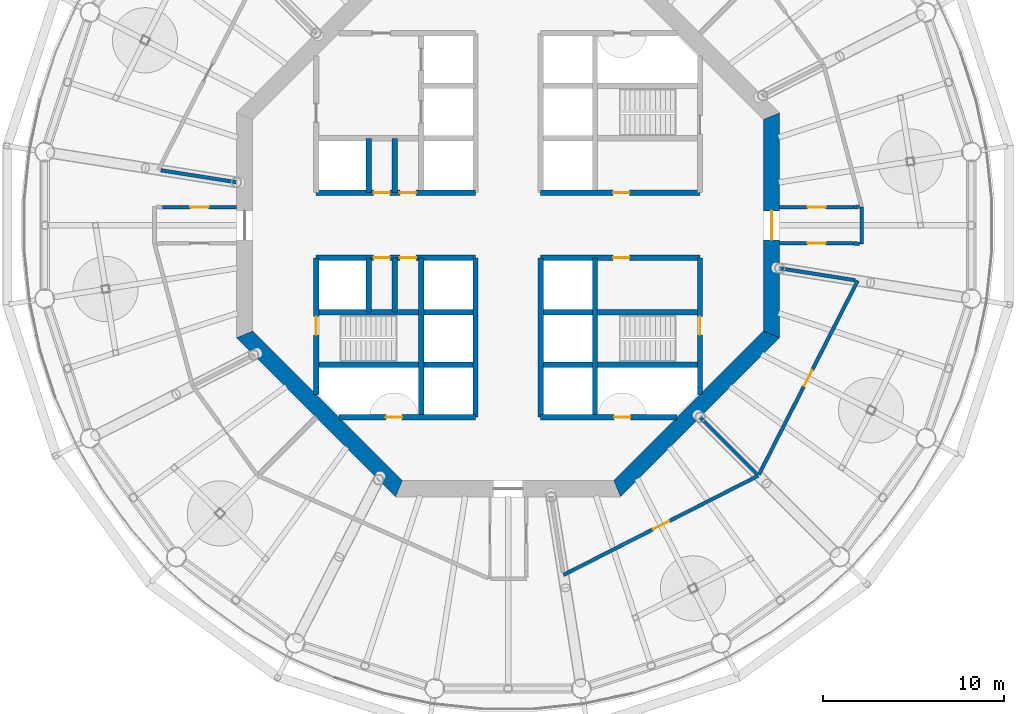
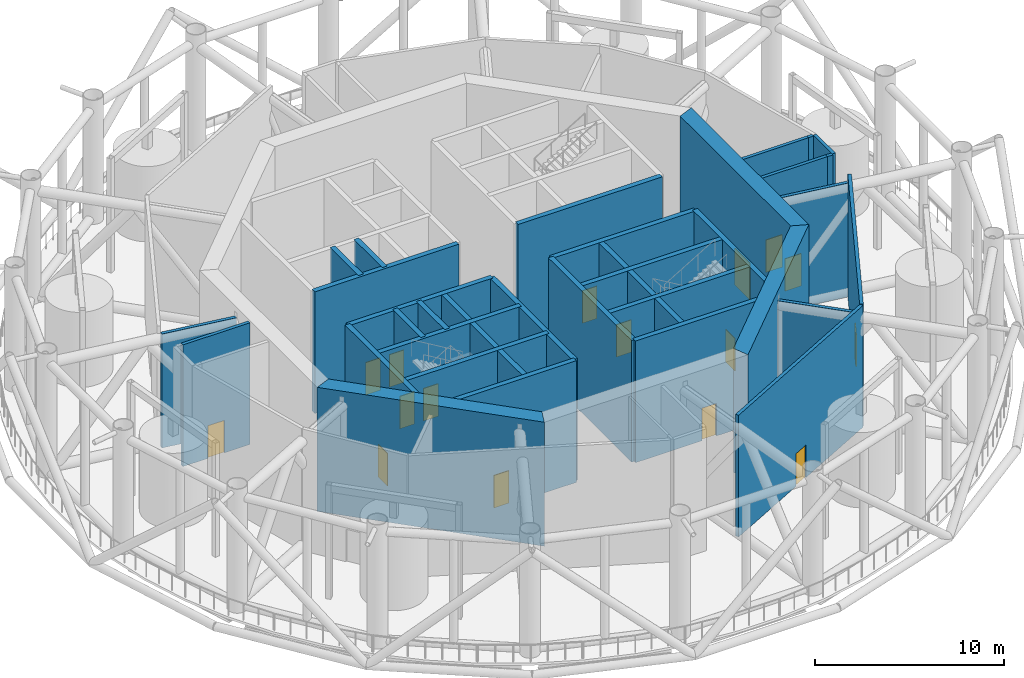
# One storey, part 12 of 22: 34 walls, 16 doors, 16 openings.
"""IFC4 building model written with IfcOpenShell, lengths in metres."""

from ifc_helpers import new_model, si_unit, direction, frame, frame_2d, origin, place, context, subcontext, project, spatial, polyline, rectangle, outline, extrude, material, layer, layer_set, type_object, element, fill, save


model = new_model("IFC4")

# Units and contexts
model_context = context("Model", 3, precision=1e-05, world=origin(), true_north=direction((0.0, 1.0)))
body_context = subcontext(model_context, "Body", "Model", "MODEL_VIEW")
ifc_project = project(units=[si_unit("LENGTHUNIT", "METRE"), si_unit("AREAUNIT", "SQUARE_METRE"), si_unit("VOLUMEUNIT", "CUBIC_METRE"), si_unit("PLANEANGLEUNIT", "RADIAN"), si_unit("MASSUNIT", "GRAM", prefix="KILO")], contexts=[model_context])

# Site, building, storey
site_placement = place(None, origin())
site = spatial("IfcSite", under=ifc_project, at=site_placement, CompositionType="ELEMENT")
building_placement = place(site_placement, origin())
building = spatial("IfcBuilding", under=site, at=building_placement, Name="Entoto Ring Tower", CompositionType="ELEMENT")
storey_placement = place(building_placement, frame((0.0, 0.0, 230.0)))
storey = spatial("IfcBuildingStorey", under=building, at=storey_placement, Name="L53", CompositionType="ELEMENT", Elevation=230.0)

# Wall, opening, door
ifc_material_1 = material(Name="Concrete C40/50", Category="concrete")
ifc_layer_1 = layer(ifc_material_1, 0.300048828125)
ifc_layer_set_1 = layer_set([ifc_layer_1], Name="Concrete C40/50")
wall_type_1 = type_object("IfcWallType", Name="Core enclosure wall 300 mm reinforced concrete", PredefinedType="SOLIDWALL", material=ifc_layer_set_1)
wall_1_placement = place(storey_placement, frame((100.60009765625, 70.65966796875, 0.0), z_axis=(0.0, 0.0, 1.0), x_axis=(0.0, 1.0, 0.0)))
wall_1 = element("IfcWall", 1, at=wall_1_placement, inside=storey, type_object=wall_type_1, Name="wall-L53-001", PredefinedType="SOLIDWALL", context=body_context, shape_type="SweptSolid", body=[
    extrude(rectangle(XDim=7.540283203125, YDim=0.300048828125, at=frame_2d((3.77001953125, 0.0))), origin(), (0.0, 0.0, 1.0), 7.85009765625),
])
opening_1_placement = place(wall_1_placement, frame((3.290283203125, 0.0, 0.0)))
opening_1 = element("IfcOpeningElement", 2, at=opening_1_placement, cuts=wall_1, Name="Opening K-47", PredefinedType="OPENING", context=body_context, shape_type="SweptSolid", body=[
    extrude(rectangle(XDim=1.0, YDim=2.10009765625, at=frame_2d((0.5, 1.050048828125))), frame((0.0, 0.16015625, 0.0), z_axis=(0.0, -1.0, 0.0), x_axis=(1.0, 0.0, 0.0)), (0.0, 0.0, 1.0), 0.320068359375),
])
ifc_material_2 = material(Name="Steel door leaf, fire rated", Category="steel")
ifc_layer_2 = layer(ifc_material_2, 0.050048828125)
ifc_layer_set_2 = layer_set([ifc_layer_2], Name="Steel door leaf, fire rated")
door_type_1 = type_object("IfcDoorType", Name="Fire door FD60 1000 x 2100 single leaf", OperationType="NOTDEFINED", PredefinedType="DOOR", material=ifc_layer_set_2)
door_1_placement = place(opening_1_placement, origin())
door_1 = element("IfcDoor", 3, at=door_1_placement, inside=storey, type_object=door_type_1, Name="Door K-47", OperationType="SINGLE_SWING_RIGHT", OverallHeight=2.10009765625, OverallWidth=1.0, PredefinedType="DOOR", context=body_context, shape_type="SweptSolid", body=[
    extrude(rectangle(XDim=1.0, YDim=2.10009765625, at=frame_2d((0.5, 1.050048828125))), frame((0.0, 0.02490234375, 0.0), z_axis=(0.0, -1.0, 0.0), x_axis=(1.0, 0.0, 0.0)), (0.0, 0.0, 1.0), 0.050048828125),
])
fill(opening_1, door_1)

# Walls
for number, where, z_axis, x_axis, name in (
    (4, (94.800048828125, 69.39990234375, 0.0), (0.0, 0.0, 1.0), (0.0, 1.0, 0.0), "wall-L53-003"),
    (5, (91.800048828125, 69.39990234375, 0.0), (0.0, 0.0, 1.0), (0.0, 1.0, 0.0), "wall-L53-005"),
    (6, (88.199951171875, 69.39990234375, 0.0), (0.0, 0.0, 1.0), (0.0, 1.0, 0.0), "wall-L53-007"),
    (7, (85.199951171875, 69.39990234375, 0.0), (0.0, 0.0, 1.0), (0.0, 1.0, 0.0), "wall-L53-009"),
):
    element("IfcWall", number, at=place(storey_placement, frame(where, z_axis=z_axis, x_axis=x_axis)), inside=storey, type_object=wall_type_1, Name=name, PredefinedType="SOLIDWALL", context=body_context, shape_type="SweptSolid", body=[
        extrude(rectangle(XDim=8.800048828125, YDim=0.300048828125, at=frame_2d((4.39990234375, 0.0))), origin(), (0.0, 0.0, 1.0), 7.85009765625),
    ])
for number, where, z_axis, x_axis, name in (
    (8, (83.75, 75.199951171875, 0.0), (0.0, 0.0, 1.0), (0.0, 1.0, 0.0), "wall-L53-011"),
    (9, (83.75, 81.800048828125, 0.0), (0.0, 0.0, 1.0), (0.0, 1.0, 0.0), "wall-L53-012"),
    (10, (82.300048828125, 75.199951171875, 0.0), (0.0, 0.0, 1.0), (0.0, 1.0, 0.0), "wall-L53-013"),
    (11, (82.300048828125, 81.800048828125, 0.0), (0.0, 0.0, 1.0), (0.0, 1.0, 0.0), "wall-L53-014"),
):
    element("IfcWall", number, at=place(storey_placement, frame(where, z_axis=z_axis, x_axis=x_axis)), inside=storey, type_object=wall_type_1, Name=name, PredefinedType="SOLIDWALL", context=body_context, shape_type="SweptSolid", body=[
        extrude(rectangle(XDim=3.0, YDim=0.300048828125, at=frame_2d((1.5, 0.0))), origin(), (0.0, 0.0, 1.0), 7.85009765625),
    ])

# Wall, opening, door
wall_2_placement = place(storey_placement, frame((79.39990234375, 70.65966796875, 0.0), z_axis=(0.0, 0.0, 1.0), x_axis=(0.0, 1.0, 0.0)))
wall_2 = element("IfcWall", 12, at=wall_2_placement, inside=storey, type_object=wall_type_1, Name="wall-L53-015", PredefinedType="SOLIDWALL", context=body_context, shape_type="SweptSolid", body=[
    extrude(rectangle(XDim=7.540283203125, YDim=0.300048828125, at=frame_2d((3.77001953125, 0.0))), origin(), (0.0, 0.0, 1.0), 7.85009765625),
])
opening_2_placement = place(wall_2_placement, frame((3.290283203125, 0.0, 0.0)))
opening_2 = element("IfcOpeningElement", 13, at=opening_2_placement, cuts=wall_2, Name="Opening K-44", PredefinedType="OPENING", context=body_context, shape_type="SweptSolid", body=[
    extrude(rectangle(XDim=1.0, YDim=2.10009765625, at=frame_2d((0.5, 1.050048828125))), frame((0.0, 0.16015625, 0.0), z_axis=(0.0, -1.0, 0.0), x_axis=(1.0, 0.0, 0.0)), (0.0, 0.0, 1.0), 0.320068359375),
])
door_2_placement = place(opening_2_placement, frame((1.0, 0.0, 0.0), z_axis=(0.0, 0.0, 1.0), x_axis=(-1.0, 0.0, 0.0)))
door_2 = element("IfcDoor", 14, at=door_2_placement, inside=storey, type_object=door_type_1, Name="Door K-44", OperationType="SINGLE_SWING_LEFT", OverallHeight=2.10009765625, OverallWidth=1.0, PredefinedType="DOOR", context=body_context, shape_type="SweptSolid", body=[
    extrude(rectangle(XDim=1.0, YDim=2.10009765625, at=frame_2d((0.5, 1.050048828125))), frame((0.0, 0.02490234375, 0.0), z_axis=(0.0, -1.0, 0.0), x_axis=(1.0, 0.0, 0.0)), (0.0, 0.0, 1.0), 0.050048828125),
])
fill(opening_2, door_2)

wall_3_placement = place(storey_placement, frame((80.65966796875, 69.39990234375, 0.0), z_axis=(0.0, 0.0, 1.0), x_axis=(1.0, 0.0, 0.0)))
wall_3 = element("IfcWall", 15, at=wall_3_placement, inside=storey, type_object=wall_type_1, Name="wall-L53-017", PredefinedType="SOLIDWALL", context=body_context, shape_type="SweptSolid", body=[
    extrude(rectangle(XDim=7.540283203125, YDim=0.300048828125, at=frame_2d((3.77001953125, 0.0))), origin(), (0.0, 0.0, 1.0), 7.85009765625),
])
opening_3_placement = place(wall_3_placement, frame((2.59033203125, 0.0, 0.0)))
opening_3 = element("IfcOpeningElement", 16, at=opening_3_placement, cuts=wall_3, Name="Opening K-53", PredefinedType="OPENING", context=body_context, shape_type="SweptSolid", body=[
    extrude(rectangle(XDim=0.89990234375, YDim=2.10009765625, at=frame_2d((0.449951171875, 1.050048828125))), frame((0.0, 0.16015625, 0.0), z_axis=(0.0, -1.0, 0.0), x_axis=(1.0, 0.0, 0.0)), (0.0, 0.0, 1.0), 0.320068359375),
])
ifc_material_3 = material(Name="Steel door leaf, fire rated", Category="steel")
ifc_layer_3 = layer(ifc_material_3, 0.050048828125)
ifc_layer_set_3 = layer_set([ifc_layer_3], Name="Steel door leaf, fire rated")
door_type_2 = type_object("IfcDoorType", Name="Riser door FD60 900 x 2100 single leaf", OperationType="NOTDEFINED", PredefinedType="DOOR", material=ifc_layer_set_3)
door_3_placement = place(opening_3_placement, origin())
door_3 = element("IfcDoor", 17, at=door_3_placement, inside=storey, type_object=door_type_2, Name="Door K-53", OperationType="SINGLE_SWING_RIGHT", OverallHeight=2.10009765625, OverallWidth=0.89990234375, PredefinedType="DOOR", context=body_context, shape_type="SweptSolid", body=[
    extrude(rectangle(XDim=0.89990234375, YDim=2.10009765625, at=frame_2d((0.449951171875, 1.050048828125))), frame((0.0, 0.02490234375, 0.0), z_axis=(0.0, -1.0, 0.0), x_axis=(1.0, 0.0, 0.0)), (0.0, 0.0, 1.0), 0.050048828125),
])
fill(opening_3, door_3)

wall_4_placement = place(storey_placement, frame((91.800048828125, 69.39990234375, 0.0), z_axis=(0.0, 0.0, 1.0), x_axis=(1.0, 0.0, 0.0)))
wall_4 = element("IfcWall", 18, at=wall_4_placement, inside=storey, type_object=wall_type_1, Name="wall-L53-018", PredefinedType="SOLIDWALL", context=body_context, shape_type="SweptSolid", body=[
    extrude(rectangle(XDim=7.540283203125, YDim=0.300048828125, at=frame_2d((3.77001953125, 0.0))), origin(), (0.0, 0.0, 1.0), 7.85009765625),
])
opening_4_placement = place(wall_4_placement, frame((4.050048828125, 0.0, 0.0)))
opening_4 = element("IfcOpeningElement", 19, at=opening_4_placement, cuts=wall_4, Name="Opening K-56", PredefinedType="OPENING", context=body_context, shape_type="SweptSolid", body=[
    extrude(rectangle(XDim=0.89990234375, YDim=2.10009765625, at=frame_2d((0.449951171875, 1.050048828125))), frame((0.0, 0.16015625, 0.0), z_axis=(0.0, -1.0, 0.0), x_axis=(1.0, 0.0, 0.0)), (0.0, 0.0, 1.0), 0.320068359375),
])
door_4_placement = place(opening_4_placement, origin())
door_4 = element("IfcDoor", 20, at=door_4_placement, inside=storey, type_object=door_type_2, Name="Door K-56", OperationType="SINGLE_SWING_LEFT", OverallHeight=2.10009765625, OverallWidth=0.89990234375, PredefinedType="DOOR", context=body_context, shape_type="SweptSolid", body=[
    extrude(rectangle(XDim=0.89990234375, YDim=2.10009765625, at=frame_2d((0.449951171875, 1.050048828125))), frame((0.0, 0.02490234375, 0.0), z_axis=(0.0, -1.0, 0.0), x_axis=(1.0, 0.0, 0.0)), (0.0, 0.0, 1.0), 0.050048828125),
])
fill(opening_4, door_4)

# Walls
for number, where, z_axis, x_axis, name in (
    (21, (79.39990234375, 72.300048828125, 0.0), (0.0, 0.0, 1.0), (1.0, 0.0, 0.0), "wall-L53-019"),
    (22, (91.800048828125, 72.300048828125, 0.0), (0.0, 0.0, 1.0), (1.0, 0.0, 0.0), "wall-L53-020"),
    (23, (79.39990234375, 75.199951171875, 0.0), (0.0, 0.0, 1.0), (1.0, 0.0, 0.0), "wall-L53-021"),
    (24, (91.800048828125, 75.199951171875, 0.0), (0.0, 0.0, 1.0), (1.0, 0.0, 0.0), "wall-L53-022"),
):
    element("IfcWall", number, at=place(storey_placement, frame(where, z_axis=z_axis, x_axis=x_axis)), inside=storey, type_object=wall_type_1, Name=name, PredefinedType="SOLIDWALL", context=body_context, shape_type="SweptSolid", body=[
        extrude(rectangle(XDim=8.800048828125, YDim=0.300048828125, at=frame_2d((4.39990234375, 0.0))), origin(), (0.0, 0.0, 1.0), 7.85009765625),
    ])

# Wall, openings, doors
wall_5_placement = place(storey_placement, frame((79.39990234375, 78.199951171875, 0.0), z_axis=(0.0, 0.0, 1.0), x_axis=(1.0, 0.0, 0.0)))
wall_5 = element("IfcWall", 25, at=wall_5_placement, inside=storey, type_object=wall_type_1, Name="wall-L53-023", PredefinedType="SOLIDWALL", context=body_context, shape_type="SweptSolid", body=[
    extrude(rectangle(XDim=8.800048828125, YDim=0.300048828125, at=frame_2d((4.39990234375, 0.0))), origin(), (0.0, 0.0, 1.0), 7.85009765625),
])
opening_5_placement = place(wall_5_placement, frame((3.175048828125, 0.0, 0.0)))
opening_5 = element("IfcOpeningElement", 26, at=opening_5_placement, cuts=wall_5, Name="Opening K-09", PredefinedType="OPENING", context=body_context, shape_type="SweptSolid", body=[
    extrude(rectangle(XDim=0.89990234375, YDim=2.10009765625, at=frame_2d((0.449951171875, 1.050048828125))), frame((0.0, 0.16015625, 0.0), z_axis=(0.0, -1.0, 0.0), x_axis=(1.0, 0.0, 0.0)), (0.0, 0.0, 1.0), 0.320068359375),
])
opening_6_placement = place(wall_5_placement, frame((4.625, 0.0, 0.0)))
opening_6 = element("IfcOpeningElement", 27, at=opening_6_placement, cuts=wall_5, Name="Opening K-10", PredefinedType="OPENING", context=body_context, shape_type="SweptSolid", body=[
    extrude(rectangle(XDim=0.89990234375, YDim=2.10009765625, at=frame_2d((0.449951171875, 1.050048828125))), frame((0.0, 0.16015625, 0.0), z_axis=(0.0, -1.0, 0.0), x_axis=(1.0, 0.0, 0.0)), (0.0, 0.0, 1.0), 0.320068359375),
])
ifc_material_4 = material(Name="Steel door leaf, fire rated", Category="steel")
ifc_layer_4 = layer(ifc_material_4, 0.050048828125)
ifc_layer_set_4 = layer_set([ifc_layer_4], Name="Steel door leaf, fire rated")
door_type_3 = type_object("IfcDoorType", Name="Core door 900 x 2100 single leaf", OperationType="NOTDEFINED", PredefinedType="DOOR", material=ifc_layer_set_4)
door_5_placement = place(opening_5_placement, frame((0.89990234375, 0.0, 0.0), z_axis=(0.0, 0.0, 1.0), x_axis=(-1.0, 0.0, 0.0)))
door_5 = element("IfcDoor", 28, at=door_5_placement, inside=storey, type_object=door_type_3, Name="Door K-09", OperationType="SINGLE_SWING_LEFT", OverallHeight=2.10009765625, OverallWidth=0.89990234375, PredefinedType="DOOR", context=body_context, shape_type="SweptSolid", body=[
    extrude(rectangle(XDim=0.89990234375, YDim=2.10009765625, at=frame_2d((0.449951171875, 1.050048828125))), frame((0.0, 0.02490234375, 0.0), z_axis=(0.0, -1.0, 0.0), x_axis=(1.0, 0.0, 0.0)), (0.0, 0.0, 1.0), 0.050048828125),
])
fill(opening_5, door_5)
door_6_placement = place(opening_6_placement, frame((0.89990234375, 0.0, 0.0), z_axis=(0.0, 0.0, 1.0), x_axis=(-1.0, 0.0, 0.0)))
door_6 = element("IfcDoor", 29, at=door_6_placement, inside=storey, type_object=door_type_3, Name="Door K-10", OperationType="SINGLE_SWING_LEFT", OverallHeight=2.10009765625, OverallWidth=0.89990234375, PredefinedType="DOOR", context=body_context, shape_type="SweptSolid", body=[
    extrude(rectangle(XDim=0.89990234375, YDim=2.10009765625, at=frame_2d((0.449951171875, 1.050048828125))), frame((0.0, 0.02490234375, 0.0), z_axis=(0.0, -1.0, 0.0), x_axis=(1.0, 0.0, 0.0)), (0.0, 0.0, 1.0), 0.050048828125),
])
fill(opening_6, door_6)

# Wall, opening, door
wall_6_placement = place(storey_placement, frame((91.800048828125, 78.199951171875, 0.0), z_axis=(0.0, 0.0, 1.0), x_axis=(1.0, 0.0, 0.0)))
wall_6 = element("IfcWall", 30, at=wall_6_placement, inside=storey, type_object=wall_type_1, Name="wall-L53-024", PredefinedType="SOLIDWALL", context=body_context, shape_type="SweptSolid", body=[
    extrude(rectangle(XDim=8.800048828125, YDim=0.300048828125, at=frame_2d((4.39990234375, 0.0))), origin(), (0.0, 0.0, 1.0), 7.85009765625),
])
opening_7_placement = place(wall_6_placement, frame((4.0, 0.0, 0.0)))
opening_7 = element("IfcOpeningElement", 31, at=opening_7_placement, cuts=wall_6, Name="Opening K-06", PredefinedType="OPENING", context=body_context, shape_type="SweptSolid", body=[
    extrude(rectangle(XDim=0.89990234375, YDim=2.10009765625, at=frame_2d((0.449951171875, 1.050048828125))), frame((0.0, 0.16015625, 0.0), z_axis=(0.0, -1.0, 0.0), x_axis=(1.0, 0.0, 0.0)), (0.0, 0.0, 1.0), 0.320068359375),
])
door_7_placement = place(opening_7_placement, frame((0.89990234375, 0.0, 0.0), z_axis=(0.0, 0.0, 1.0), x_axis=(-1.0, 0.0, 0.0)))
door_7 = element("IfcDoor", 32, at=door_7_placement, inside=storey, type_object=door_type_3, Name="Door K-06", OperationType="SINGLE_SWING_RIGHT", OverallHeight=2.10009765625, OverallWidth=0.89990234375, PredefinedType="DOOR", context=body_context, shape_type="SweptSolid", body=[
    extrude(rectangle(XDim=0.89990234375, YDim=2.10009765625, at=frame_2d((0.449951171875, 1.050048828125))), frame((0.0, 0.02490234375, 0.0), z_axis=(0.0, -1.0, 0.0), x_axis=(1.0, 0.0, 0.0)), (0.0, 0.0, 1.0), 0.050048828125),
])
fill(opening_7, door_7)

# Wall, openings, doors
wall_7_placement = place(storey_placement, frame((79.39990234375, 81.800048828125, 0.0), z_axis=(0.0, 0.0, 1.0), x_axis=(1.0, 0.0, 0.0)))
wall_7 = element("IfcWall", 33, at=wall_7_placement, inside=storey, type_object=wall_type_1, Name="wall-L53-025", PredefinedType="SOLIDWALL", context=body_context, shape_type="SweptSolid", body=[
    extrude(rectangle(XDim=8.800048828125, YDim=0.300048828125, at=frame_2d((4.39990234375, 0.0))), origin(), (0.0, 0.0, 1.0), 7.85009765625),
])
opening_8_placement = place(wall_7_placement, frame((3.175048828125, 0.0, 0.0)))
opening_8 = element("IfcOpeningElement", 34, at=opening_8_placement, cuts=wall_7, Name="Opening K-07", PredefinedType="OPENING", context=body_context, shape_type="SweptSolid", body=[
    extrude(rectangle(XDim=0.89990234375, YDim=2.10009765625, at=frame_2d((0.449951171875, 1.050048828125))), frame((0.0, 0.16015625, 0.0), z_axis=(0.0, -1.0, 0.0), x_axis=(1.0, 0.0, 0.0)), (0.0, 0.0, 1.0), 0.320068359375),
])
opening_9_placement = place(wall_7_placement, frame((4.625, 0.0, 0.0)))
opening_9 = element("IfcOpeningElement", 35, at=opening_9_placement, cuts=wall_7, Name="Opening K-08", PredefinedType="OPENING", context=body_context, shape_type="SweptSolid", body=[
    extrude(rectangle(XDim=0.89990234375, YDim=2.10009765625, at=frame_2d((0.449951171875, 1.050048828125))), frame((0.0, 0.16015625, 0.0), z_axis=(0.0, -1.0, 0.0), x_axis=(1.0, 0.0, 0.0)), (0.0, 0.0, 1.0), 0.320068359375),
])
door_8_placement = place(opening_8_placement, frame((0.89990234375, 0.0, 0.0), z_axis=(0.0, 0.0, 1.0), x_axis=(-1.0, 0.0, 0.0)))
door_8 = element("IfcDoor", 36, at=door_8_placement, inside=storey, type_object=door_type_3, Name="Door K-07", OperationType="SINGLE_SWING_RIGHT", OverallHeight=2.10009765625, OverallWidth=0.89990234375, PredefinedType="DOOR", context=body_context, shape_type="SweptSolid", body=[
    extrude(rectangle(XDim=0.89990234375, YDim=2.10009765625, at=frame_2d((0.449951171875, 1.050048828125))), frame((0.0, 0.02490234375, 0.0), z_axis=(0.0, -1.0, 0.0), x_axis=(1.0, 0.0, 0.0)), (0.0, 0.0, 1.0), 0.050048828125),
])
fill(opening_8, door_8)
door_9_placement = place(opening_9_placement, frame((0.89990234375, 0.0, 0.0), z_axis=(0.0, 0.0, 1.0), x_axis=(-1.0, 0.0, 0.0)))
door_9 = element("IfcDoor", 37, at=door_9_placement, inside=storey, type_object=door_type_3, Name="Door K-08", OperationType="SINGLE_SWING_RIGHT", OverallHeight=2.10009765625, OverallWidth=0.89990234375, PredefinedType="DOOR", context=body_context, shape_type="SweptSolid", body=[
    extrude(rectangle(XDim=0.89990234375, YDim=2.10009765625, at=frame_2d((0.449951171875, 1.050048828125))), frame((0.0, 0.02490234375, 0.0), z_axis=(0.0, -1.0, 0.0), x_axis=(1.0, 0.0, 0.0)), (0.0, 0.0, 1.0), 0.050048828125),
])
fill(opening_9, door_9)

# Wall, opening, door
wall_8_placement = place(storey_placement, frame((91.800048828125, 81.800048828125, 0.0), z_axis=(0.0, 0.0, 1.0), x_axis=(1.0, 0.0, 0.0)))
wall_8 = element("IfcWall", 38, at=wall_8_placement, inside=storey, type_object=wall_type_1, Name="wall-L53-026", PredefinedType="SOLIDWALL", context=body_context, shape_type="SweptSolid", body=[
    extrude(rectangle(XDim=8.800048828125, YDim=0.300048828125, at=frame_2d((4.39990234375, 0.0))), origin(), (0.0, 0.0, 1.0), 7.85009765625),
])
opening_10_placement = place(wall_8_placement, frame((4.0, 0.0, 0.0)))
opening_10 = element("IfcOpeningElement", 39, at=opening_10_placement, cuts=wall_8, Name="Opening K-05", PredefinedType="OPENING", context=body_context, shape_type="SweptSolid", body=[
    extrude(rectangle(XDim=0.89990234375, YDim=2.10009765625, at=frame_2d((0.449951171875, 1.050048828125))), frame((0.0, 0.16015625, 0.0), z_axis=(0.0, -1.0, 0.0), x_axis=(1.0, 0.0, 0.0)), (0.0, 0.0, 1.0), 0.320068359375),
])
door_10_placement = place(opening_10_placement, origin())
door_10 = element("IfcDoor", 40, at=door_10_placement, inside=storey, type_object=door_type_3, Name="Door K-05", OperationType="SINGLE_SWING_LEFT", OverallHeight=2.10009765625, OverallWidth=0.89990234375, PredefinedType="DOOR", context=body_context, shape_type="SweptSolid", body=[
    extrude(rectangle(XDim=0.89990234375, YDim=2.10009765625, at=frame_2d((0.449951171875, 1.050048828125))), frame((0.0, 0.02490234375, 0.0), z_axis=(0.0, -1.0, 0.0), x_axis=(1.0, 0.0, 0.0)), (0.0, 0.0, 1.0), 0.050048828125),
])
fill(opening_10, door_10)

ifc_material_5 = material(Name="Concrete C50/60", Category="concrete")
ifc_layer_5 = layer(ifc_material_5, 0.89990234375)
ifc_layer_set_5 = layer_set([ifc_layer_5], Name="Concrete C50/60")
wall_type_2 = type_object("IfcWallType", Name="Core shear wall 900 mm reinforced concrete C50/60", PredefinedType="SHEAR", material=ifc_layer_set_5)
wall_9_placement = place(storey_placement, frame((104.550048828125, 73.97314453125, 0.0), z_axis=(0.0, 0.0, 1.0), x_axis=(0.0, 1.0, 0.0)))
wall_9 = element("IfcWall", 41, at=wall_9_placement, inside=storey, type_object=wall_type_2, Name="wall-L53-core-0", PredefinedType="SHEAR", context=body_context, shape_type="SweptSolid", body=[
    extrude(outline(polyline([(-0.186279296875, -0.449951171875), (12.239990234375, -0.449951171875), (11.867431640625, 0.449951171875), (0.186279296875, 0.449951171875), (-0.186279296875, -0.449951171875)])), origin(), (0.0, 0.0, 1.0), 8.0),
])
opening_11_placement = place(wall_9_placement, frame((5.226806640625, 0.0, 0.0)))
opening_11 = element("IfcOpeningElement", 42, at=opening_11_placement, cuts=wall_9, Name="Opening K-01", PredefinedType="OPENING", context=body_context, shape_type="SweptSolid", body=[
    extrude(rectangle(XDim=1.60009765625, YDim=2.39990234375, at=frame_2d((0.800048828125, 1.199951171875))), frame((0.0, 0.4599609375, 0.0), z_axis=(0.0, -1.0, 0.0), x_axis=(1.0, 0.0, 0.0)), (0.0, 0.0, 1.0), 0.919921875),
])
ifc_material_6 = material(Name="Steel door leaf, fire rated", Category="steel")
ifc_layer_6 = layer(ifc_material_6, 0.050048828125)
ifc_layer_set_6 = layer_set([ifc_layer_6], Name="Steel door leaf, fire rated")
door_type_4 = type_object("IfcDoorType", Name="Entrance door FD60 1600 x 2400 double leaf", OperationType="DOUBLE_DOOR_SINGLE_SWING", PredefinedType="DOOR", material=ifc_layer_set_6)
door_11_placement = place(opening_11_placement, origin())
door_11 = element("IfcDoor", 43, at=door_11_placement, inside=storey, type_object=door_type_4, Name="Entrance door K-01", OperationType="DOUBLE_DOOR_SINGLE_SWING", OverallHeight=2.39990234375, OverallWidth=1.60009765625, PredefinedType="DOOR", context=body_context, shape_type="SweptSolid", body=[
    extrude(rectangle(XDim=1.60009765625, YDim=2.39990234375, at=frame_2d((0.800048828125, 1.199951171875))), frame((0.0, 0.02490234375, 0.0), z_axis=(0.0, -1.0, 0.0), x_axis=(1.0, 0.0, 0.0)), (0.0, 0.0, 1.0), 0.050048828125),
])
fill(opening_11, door_11)

# Walls
for number, where, z_axis, x_axis, name in (
    (44, (75.449951171875, 73.97314453125, 0.0), (0.0, 0.0, 1.0), (0.707106781187, -0.707106781187, 0.0), "wall-L53-core-5"),
    (45, (96.02685546875, 65.449951171875, 0.0), (0.0, 0.0, 1.0), (0.707106781187, 0.707106781187, 0.0), "wall-L53-core-7"),
):
    element("IfcWall", number, at=place(storey_placement, frame(where, z_axis=z_axis, x_axis=x_axis)), inside=storey, type_object=wall_type_2, Name=name, PredefinedType="SHEAR", context=body_context, shape_type="SweptSolid", body=[
        extrude(outline(polyline([(-0.186279296875, -0.449951171875), (12.239990234375, -0.449951171875), (11.867431640625, 0.449951171875), (0.186279296875, 0.449951171875), (-0.186279296875, -0.449951171875)])), origin(), (0.0, 0.0, 1.0), 8.0),
    ])

# Wall, opening, door
ifc_material_7 = material(Name="Concrete C20/25", Category="concrete")
ifc_layer_7 = layer(ifc_material_7, 0.199951171875)
ifc_layer_set_7 = layer_set([ifc_layer_7], Name="Concrete C20/25")
wall_type_3 = type_object("IfcWallType", Name="Plant room wall 200 mm two-hour concrete", PredefinedType="PARTITIONING", material=ifc_layer_set_7)
wall_10_placement = place(storey_placement, frame((93.058349609375, 60.690673828125, 0.0), z_axis=(0.0, 0.0, 1.0), x_axis=(0.891006803894, 0.453989950787, 0.0)))
wall_10 = element("IfcWall", 46, at=wall_10_placement, inside=storey, type_object=wall_type_3, Name="partition-L53-006", PredefinedType="PARTITIONING", context=body_context, shape_type="SweptSolid", body=[
    extrude(rectangle(XDim=12.08251953125, YDim=0.199951171875, at=frame_2d((6.041259765625, 0.0))), origin(), (0.0, 0.0, 1.0), 7.85009765625),
])
opening_12_placement = place(wall_10_placement, frame((5.541259765625, 0.0, 0.0)))
opening_12 = element("IfcOpeningElement", 47, at=opening_12_placement, cuts=wall_10, Name="Opening A23-D10", PredefinedType="OPENING", context=body_context, shape_type="SweptSolid", body=[
    extrude(rectangle(XDim=1.0, YDim=2.10009765625, at=frame_2d((0.5, 1.050048828125))), frame((0.0, 0.10986328125, 0.0), z_axis=(0.0, -1.0, 0.0), x_axis=(1.0, 0.0, 0.0)), (0.0, 0.0, 1.0), 0.219970703125),
])
ifc_material_8 = material(Name="Fire-resisting steel door set", Category="steel")
door_type_5 = type_object("IfcDoorType", Name="Door 1000 x 2100 single leaf FD60 steel door", OperationType="NOTDEFINED", PredefinedType="DOOR", material=ifc_material_8)
door_12_placement = place(opening_12_placement, origin())
door_12 = element("IfcDoor", 48, at=door_12_placement, inside=storey, type_object=door_type_5, Name="Door A23-D10", OperationType="SINGLE_SWING_RIGHT", OverallHeight=2.10009765625, OverallWidth=1.0, PredefinedType="DOOR", context=body_context, shape_type="SweptSolid", body=[
    extrude(rectangle(XDim=1.0, YDim=2.10009765625, at=frame_2d((0.5, 1.050048828125))), frame((0.0, 0.02490234375, 0.0), z_axis=(0.0, -1.0, 0.0), x_axis=(1.0, 0.0, 0.0)), (0.0, 0.0, 1.0), 0.050048828125),
])
fill(opening_12, door_12)

wall_11_placement = place(storey_placement, frame((103.8505859375, 66.228271484375, 0.0), z_axis=(0.0, 0.0, 1.0), x_axis=(0.45399056785, 0.891006489484, 0.0)))
wall_11 = element("IfcWall", 49, at=wall_11_placement, inside=storey, type_object=wall_type_3, Name="partition-L53-007", PredefinedType="PARTITIONING", context=body_context, shape_type="SweptSolid", body=[
    extrude(rectangle(XDim=12.02392578125, YDim=0.199951171875, at=frame_2d((6.011962890625, 0.0))), origin(), (0.0, 0.0, 1.0), 7.85009765625),
])
opening_13_placement = place(wall_11_placement, frame((5.482666015625, 0.0, 0.0)))
opening_13 = element("IfcOpeningElement", 50, at=opening_13_placement, cuts=wall_11, Name="Opening A23-D11", PredefinedType="OPENING", context=body_context, shape_type="SweptSolid", body=[
    extrude(rectangle(XDim=1.0, YDim=2.10009765625, at=frame_2d((0.5, 1.050048828125))), frame((0.0, 0.10986328125, 0.0), z_axis=(0.0, -1.0, 0.0), x_axis=(1.0, 0.0, 0.0)), (0.0, 0.0, 1.0), 0.219970703125),
])
door_13_placement = place(opening_13_placement, origin())
door_13 = element("IfcDoor", 51, at=door_13_placement, inside=storey, type_object=door_type_5, Name="Door A23-D11", OperationType="SINGLE_SWING_LEFT", OverallHeight=2.10009765625, OverallWidth=1.0, PredefinedType="DOOR", context=body_context, shape_type="SweptSolid", body=[
    extrude(rectangle(XDim=1.0, YDim=2.10009765625, at=frame_2d((0.5, 1.050048828125))), frame((0.0, 0.02490234375, 0.0), z_axis=(0.0, -1.0, 0.0), x_axis=(1.0, 0.0, 0.0)), (0.0, 0.0, 1.0), 0.050048828125),
])
fill(opening_13, door_13)

wall_12_placement = place(storey_placement, frame((70.9189453125, 81.0, 0.0), z_axis=(0.0, 0.0, 1.0), x_axis=(1.0, 0.0, 0.0)))
wall_12 = element("IfcWall", 52, at=wall_12_placement, inside=storey, type_object=wall_type_3, Name="partition-L53-023", PredefinedType="PARTITIONING", context=body_context, shape_type="SweptSolid", body=[
    extrude(rectangle(XDim=4.0810546875, YDim=0.199951171875, at=frame_2d((2.04052734375, 0.0))), origin(), (0.0, 0.0, 1.0), 7.85009765625),
])
opening_14_placement = place(wall_12_placement, frame((1.54052734375, 0.0, 0.0)))
opening_14 = element("IfcOpeningElement", 53, at=opening_14_placement, cuts=wall_12, Name="Opening A23-D14", PredefinedType="OPENING", context=body_context, shape_type="SweptSolid", body=[
    extrude(rectangle(XDim=1.0, YDim=2.10009765625, at=frame_2d((0.5, 1.050048828125))), frame((0.0, 0.10986328125, 0.0), z_axis=(0.0, -1.0, 0.0), x_axis=(1.0, 0.0, 0.0)), (0.0, 0.0, 1.0), 0.219970703125),
])
door_14_placement = place(opening_14_placement, frame((1.0, 0.0, 0.0), z_axis=(0.0, 0.0, 1.0), x_axis=(-1.0, 0.0, 0.0)))
door_14 = element("IfcDoor", 54, at=door_14_placement, inside=storey, type_object=door_type_5, Name="Door A23-D14", OperationType="SINGLE_SWING_LEFT", OverallHeight=2.10009765625, OverallWidth=1.0, PredefinedType="DOOR", context=body_context, shape_type="SweptSolid", body=[
    extrude(rectangle(XDim=1.0, YDim=2.10009765625, at=frame_2d((0.5, 1.050048828125))), frame((0.0, 0.02490234375, 0.0), z_axis=(0.0, -1.0, 0.0), x_axis=(1.0, 0.0, 0.0)), (0.0, 0.0, 1.0), 0.050048828125),
])
fill(opening_14, door_14)

wall_13_placement = place(storey_placement, frame((105.0, 79.0, 0.0), z_axis=(0.0, 0.0, 1.0), x_axis=(1.0, 0.0, 0.0)))
wall_13 = element("IfcWall", 55, at=wall_13_placement, inside=storey, type_object=wall_type_3, Name="partition-L53-027", PredefinedType="PARTITIONING", context=body_context, shape_type="SweptSolid", body=[
    extrude(rectangle(XDim=4.0810546875, YDim=0.199951171875, at=frame_2d((2.04052734375, 0.0))), origin(), (0.0, 0.0, 1.0), 7.85009765625),
])
opening_15_placement = place(wall_13_placement, frame((1.54052734375, 0.0, 0.0)))
opening_15 = element("IfcOpeningElement", 56, at=opening_15_placement, cuts=wall_13, Name="Opening A23-D12", PredefinedType="OPENING", context=body_context, shape_type="SweptSolid", body=[
    extrude(rectangle(XDim=1.0, YDim=2.10009765625, at=frame_2d((0.5, 1.050048828125))), frame((0.0, 0.10986328125, 0.0), z_axis=(0.0, -1.0, 0.0), x_axis=(1.0, 0.0, 0.0)), (0.0, 0.0, 1.0), 0.219970703125),
])
door_15_placement = place(opening_15_placement, origin())
door_15 = element("IfcDoor", 57, at=door_15_placement, inside=storey, type_object=door_type_5, Name="Door A23-D12", OperationType="SINGLE_SWING_LEFT", OverallHeight=2.10009765625, OverallWidth=1.0, PredefinedType="DOOR", context=body_context, shape_type="SweptSolid", body=[
    extrude(rectangle(XDim=1.0, YDim=2.10009765625, at=frame_2d((0.5, 1.050048828125))), frame((0.0, 0.02490234375, 0.0), z_axis=(0.0, -1.0, 0.0), x_axis=(1.0, 0.0, 0.0)), (0.0, 0.0, 1.0), 0.050048828125),
])
fill(opening_15, door_15)

wall_14_placement = place(storey_placement, frame((105.0, 81.0, 0.0), z_axis=(0.0, 0.0, 1.0), x_axis=(1.0, 0.0, 0.0)))
wall_14 = element("IfcWall", 58, at=wall_14_placement, inside=storey, type_object=wall_type_3, Name="partition-L53-028", PredefinedType="PARTITIONING", context=body_context, shape_type="SweptSolid", body=[
    extrude(rectangle(XDim=4.0810546875, YDim=0.199951171875, at=frame_2d((2.04052734375, 0.0))), origin(), (0.0, 0.0, 1.0), 7.85009765625),
])
opening_16_placement = place(wall_14_placement, frame((1.54052734375, 0.0, 0.0)))
opening_16 = element("IfcOpeningElement", 59, at=opening_16_placement, cuts=wall_14, Name="Opening A23-D01", PredefinedType="OPENING", context=body_context, shape_type="SweptSolid", body=[
    extrude(rectangle(XDim=1.0, YDim=2.10009765625, at=frame_2d((0.5, 1.050048828125))), frame((0.0, 0.10986328125, 0.0), z_axis=(0.0, -1.0, 0.0), x_axis=(1.0, 0.0, 0.0)), (0.0, 0.0, 1.0), 0.219970703125),
])
door_16_placement = place(opening_16_placement, origin())
door_16 = element("IfcDoor", 60, at=door_16_placement, inside=storey, type_object=door_type_5, Name="Door A23-D01", OperationType="SINGLE_SWING_LEFT", OverallHeight=2.10009765625, OverallWidth=1.0, PredefinedType="DOOR", context=body_context, shape_type="SweptSolid", body=[
    extrude(rectangle(XDim=1.0, YDim=2.10009765625, at=frame_2d((0.5, 1.050048828125))), frame((0.0, 0.02490234375, 0.0), z_axis=(0.0, -1.0, 0.0), x_axis=(1.0, 0.0, 0.0)), (0.0, 0.0, 1.0), 0.050048828125),
])
fill(opening_16, door_16)

# Walls
wall_15_placement = place(storey_placement, frame((109.523193359375, 78.976806640625, 0.0), z_axis=(0.0, 0.0, 1.0), x_axis=(0.0, 1.0, 0.0)))
element("IfcWall", 61, at=wall_15_placement, inside=storey, type_object=wall_type_3, Name="partition-L53-035", PredefinedType="PARTITIONING", context=body_context, shape_type="SweptSolid", body=[
    extrude(rectangle(XDim=2.0205078125, YDim=0.199951171875, at=frame_2d((1.01025390625, 0.0))), origin(), (0.0, 0.0, 1.0), 7.85009765625),
])
wall_16_placement = place(storey_placement, frame((109.08642578125, 81.000244140625, 0.0), z_axis=(0.0, 0.0, 1.0), x_axis=(0.998641361908, 0.052109790691, 0.0)))
element("IfcWall", 62, at=wall_16_placement, inside=storey, type_object=wall_type_3, Name="partition-L53-041", PredefinedType="PARTITIONING", context=body_context, shape_type="SweptSolid", body=[
    extrude(rectangle(XDim=0.31396484375, YDim=0.199951171875, at=frame_2d((0.156982421875, 0.0))), origin(), (0.0, 0.0, 1.0), 7.85009765625),
])
wall_17_placement = place(storey_placement, frame((109.41796875, 78.982421875, 0.0), z_axis=(0.0, 0.0, 1.0), x_axis=(-0.998636051661, 0.052211457782, 0.0)))
element("IfcWall", 63, at=wall_17_placement, inside=storey, type_object=wall_type_3, Name="partition-L53-042", PredefinedType="PARTITIONING", context=body_context, shape_type="SweptSolid", body=[
    extrude(rectangle(XDim=0.33203125, YDim=0.199951171875, at=frame_2d((0.166015625, 0.0))), origin(), (0.0, 0.0, 1.0), 7.85009765625),
])
ifc_material_9 = material(Name="Concrete C20/25", Category="concrete")
ifc_layer_8 = layer(ifc_material_9, 0.199951171875)
ifc_layer_set_8 = layer_set([ifc_layer_8], Name="Concrete C20/25")
wall_type_4 = type_object("IfcWallType", Name="Plant room wall 200 mm two-hour concrete, 7350 mm high", PredefinedType="PARTITIONING", material=ifc_layer_set_8)
wall_18_placement = place(storey_placement, frame((103.726806640625, 66.273193359375, 0.0), z_axis=(0.0, 0.0, 1.0), x_axis=(-0.707106781187, 0.707106781187, 0.0)))
element("IfcWall", 64, at=wall_18_placement, inside=storey, type_object=wall_type_4, Name="partition-L53-017", PredefinedType="PARTITIONING", context=body_context, shape_type="SweptSolid", body=[
    extrude(rectangle(XDim=4.41259765625, YDim=0.199951171875, at=frame_2d((2.206298828125, 0.0))), origin(), (0.0, 0.0, 1.0), 7.35009765625),
])
for number, where, z_axis, x_axis, name in (
    (65, (75.0, 82.375732421875, 0.0), (0.0, 0.0, 1.0), (-0.987684608928, 0.156458024041, 0.0), "partition-L53-018"),
    (66, (109.173583984375, 76.963134765625, 0.0), (0.0, 0.0, 1.0), (-0.987684608928, 0.156458024041, 0.0), "partition-L53-021"),
):
    element("IfcWall", number, at=place(storey_placement, frame(where, z_axis=z_axis, x_axis=x_axis)), inside=storey, type_object=wall_type_4, Name=name, PredefinedType="PARTITIONING", context=body_context, shape_type="SweptSolid", body=[
        extrude(rectangle(XDim=4.2255859375, YDim=0.199951171875, at=frame_2d((2.11279296875, 0.0))), origin(), (0.0, 0.0, 1.0), 7.35009765625),
    ])

save(model, "model.ifc")
